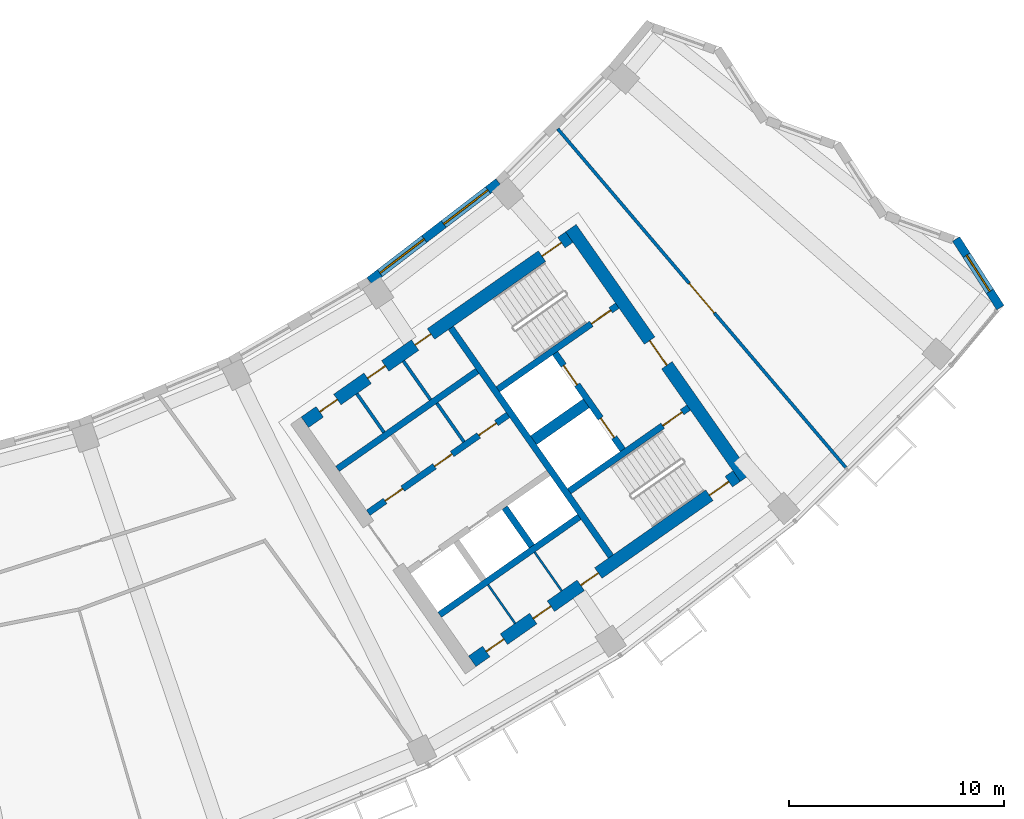
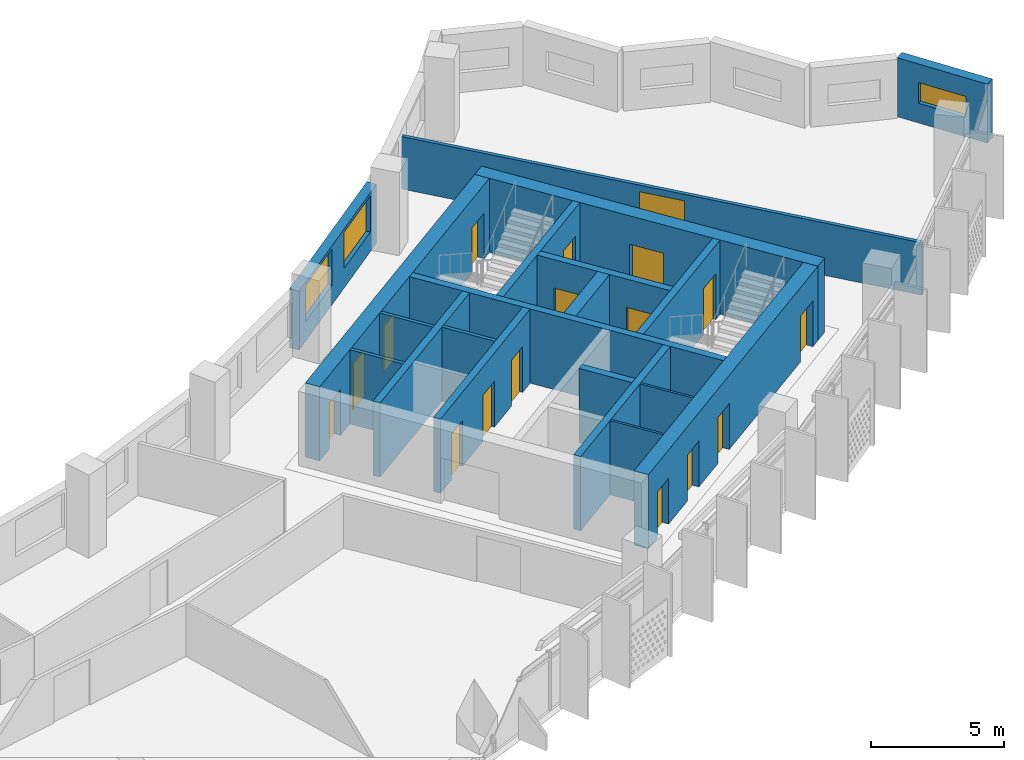
# One storey, part 7 of 28: 20 walls, 17 doors, 3 windows, 20 openings.
"""IFC4 building model written with IfcOpenShell, lengths in metres."""

from ifc_helpers import new_model, si_unit, direction, frame, frame_2d, origin, place, context, subcontext, project, spatial, rectangle, extrude, material, layer, layer_set, type_object, element, fill, save


model = new_model("IFC4")

# Units and contexts
model_context = context("Model", 3, precision=1e-05, world=origin(), true_north=direction((0.0, 1.0)))
body_context = subcontext(model_context, "Body", "Model", "MODEL_VIEW")
ifc_project = project(units=[si_unit("LENGTHUNIT", "METRE"), si_unit("AREAUNIT", "SQUARE_METRE"), si_unit("VOLUMEUNIT", "CUBIC_METRE"), si_unit("PLANEANGLEUNIT", "RADIAN"), si_unit("MASSUNIT", "GRAM", prefix="KILO")], contexts=[model_context])

# Site, building, storey
site_placement = place(None, origin())
site = spatial("IfcSite", under=ifc_project, at=site_placement, CompositionType="ELEMENT")
building_placement = place(site_placement, origin())
building = spatial("IfcBuilding", under=site, at=building_placement, Name="Qamariyya Broadcast Tower", CompositionType="ELEMENT")
storey_placement = place(building_placement, frame((0.0, 0.0, 249.300048828125)))
storey = spatial("IfcBuildingStorey", under=building, at=storey_placement, Name="L60", CompositionType="ELEMENT", Elevation=249.300048828125)

# Wall, opening, door
ifc_material_1 = material(Name="Concrete C60/75", Category="concrete")
ifc_layer_1 = layer(ifc_material_1, 0.60009765625)
ifc_layer_set_1 = layer_set([ifc_layer_1], Name="Core wall 600 mm Concrete C60/75")
wall_type_1 = type_object("IfcWallType", Name="Core wall 600 mm Concrete C60/75", PredefinedType="SHEAR", material=ifc_layer_set_1)
wall_1_placement = place(storey_placement, frame((49.4833984375, -57.031494140625, 0.0), z_axis=(0.0, 0.0, 1.0), x_axis=(-0.573560421458, 0.819163257805, 0.0)))
wall_1 = element("IfcWall", 1, at=wall_1_placement, inside=storey, type_object=wall_type_1, Name="k-E-L60-WH", PredefinedType="SHEAR", context=body_context, shape_type="SweptSolid", body=[
    extrude(rectangle(XDim=14.199951171875, YDim=0.60009765625, at=frame_2d((7.10009765625, 0.0))), origin(), (0.0, 0.0, 1.0), 3.39990234375),
])
opening_1_placement = place(wall_1_placement, frame((6.39990234375, 0.0, 0.0)))
opening_1 = element("IfcOpeningElement", 2, at=opening_1_placement, cuts=wall_1, Name="Opening KD2-E1", PredefinedType="OPENING", context=body_context, shape_type="SweptSolid", body=[
    extrude(rectangle(XDim=1.39990234375, YDim=2.10009765625, at=frame_2d((0.699951171875, 1.050048828125))), frame((0.0, 0.31005859375, 0.0), z_axis=(0.0, -1.0, 0.0), x_axis=(1.0, 0.0, 0.0)), (0.0, 0.0, 1.0), 0.6201171875),
])
ifc_material_2 = material(Name="Steel fire-resisting door leaf", Category="steel")
door_type_1 = type_object("IfcDoorType", Name="Fire-fighting lobby door KD2", OperationType="DOUBLE_DOOR_SINGLE_SWING", PredefinedType="DOOR", material=ifc_material_2)
door_1_placement = place(opening_1_placement, origin())
door_1 = element("IfcDoor", 3, at=door_1_placement, inside=storey, type_object=door_type_1, Name="k-E-L60-WH-D15", OperationType="DOUBLE_DOOR_SINGLE_SWING", OverallHeight=2.10009765625, OverallWidth=1.39990234375, PredefinedType="DOOR", context=body_context, shape_type="SweptSolid", body=[
    extrude(rectangle(XDim=1.39990234375, YDim=2.10009765625, at=frame_2d((0.699951171875, 1.050048828125))), frame((0.0, 0.02490234375, 0.0), z_axis=(0.0, -1.0, 0.0), x_axis=(1.0, 0.0, 0.0)), (0.0, 0.0, 1.0), 0.050048828125),
])
fill(opening_1, door_1)

# Wall, openings, doors
wall_2_placement = place(storey_placement, frame((28.940673828125, -54.447021484375, 0.0), z_axis=(0.0, 0.0, 1.0), x_axis=(0.819153391756, 0.573574511963, 0.0)))
wall_2 = element("IfcWall", 4, at=wall_2_placement, inside=storey, type_object=wall_type_1, Name="k-E-L60-WI", PredefinedType="SHEAR", context=body_context, shape_type="SweptSolid", body=[
    extrude(rectangle(XDim=15.04541015625, YDim=0.60009765625, at=frame_2d((7.522705078125, 0.0))), origin(), (0.0, 0.0, 1.0), 3.39990234375),
])
opening_2_placement = place(wall_2_placement, frame((0.85009765625, 0.0, 0.0)))
opening_2 = element("IfcOpeningElement", 5, at=opening_2_placement, cuts=wall_2, Name="Opening KD6-E3", PredefinedType="OPENING", context=body_context, shape_type="SweptSolid", body=[
    extrude(rectangle(XDim=1.0, YDim=2.10009765625, at=frame_2d((0.5, 1.050048828125))), frame((0.0, 0.31005859375, 0.0), z_axis=(0.0, -1.0, 0.0), x_axis=(1.0, 0.0, 0.0)), (0.0, 0.0, 1.0), 0.6201171875),
])
opening_3_placement = place(wall_2_placement, frame((3.574951171875, 0.0, 0.0)))
opening_3 = element("IfcOpeningElement", 6, at=opening_3_placement, cuts=wall_2, Name="Opening KD7-E1", PredefinedType="OPENING", context=body_context, shape_type="SweptSolid", body=[
    extrude(rectangle(XDim=1.0, YDim=2.10009765625, at=frame_2d((0.5, 1.050048828125))), frame((0.0, 0.31005859375, 0.0), z_axis=(0.0, -1.0, 0.0), x_axis=(1.0, 0.0, 0.0)), (0.0, 0.0, 1.0), 0.6201171875),
])
opening_4_placement = place(wall_2_placement, frame((6.27490234375, 0.0, 0.0)))
opening_4 = element("IfcOpeningElement", 7, at=opening_4_placement, cuts=wall_2, Name="Opening KD5-E1", PredefinedType="OPENING", context=body_context, shape_type="SweptSolid", body=[
    extrude(rectangle(XDim=0.89990234375, YDim=2.10009765625, at=frame_2d((0.449951171875, 1.050048828125))), frame((0.0, 0.31005859375, 0.0), z_axis=(0.0, -1.0, 0.0), x_axis=(1.0, 0.0, 0.0)), (0.0, 0.0, 1.0), 0.6201171875),
])
opening_5_placement = place(wall_2_placement, frame((13.495361328125, 0.0, 0.0)))
opening_5 = element("IfcOpeningElement", 8, at=opening_5_placement, cuts=wall_2, Name="Opening KD1-E1", PredefinedType="OPENING", context=body_context, shape_type="SweptSolid", body=[
    extrude(rectangle(XDim=1.10009765625, YDim=2.10009765625, at=frame_2d((0.550048828125, 1.050048828125))), frame((0.0, 0.31005859375, 0.0), z_axis=(0.0, -1.0, 0.0), x_axis=(1.0, 0.0, 0.0)), (0.0, 0.0, 1.0), 0.6201171875),
])
door_type_2 = type_object("IfcDoorType", Name="Accessible toilet door KD7", OperationType="SINGLE_SWING_LEFT", PredefinedType="DOOR", material=ifc_material_2)
door_2_placement = place(opening_3_placement, origin())
door_2 = element("IfcDoor", 9, at=door_2_placement, inside=storey, type_object=door_type_2, Name="k-E-L60-WI-D8", OperationType="SINGLE_SWING_RIGHT", OverallHeight=2.10009765625, OverallWidth=1.0, PredefinedType="DOOR", context=body_context, shape_type="SweptSolid", body=[
    extrude(rectangle(XDim=1.0, YDim=2.10009765625, at=frame_2d((0.5, 1.050048828125))), frame((0.0, 0.02490234375, 0.0), z_axis=(0.0, -1.0, 0.0), x_axis=(1.0, 0.0, 0.0)), (0.0, 0.0, 1.0), 0.050048828125),
])
fill(opening_3, door_2)
door_type_3 = type_object("IfcDoorType", Name="Core room door KD6", OperationType="SINGLE_SWING_LEFT", PredefinedType="DOOR", material=ifc_material_2)
door_3_placement = place(opening_2_placement, origin())
door_3 = element("IfcDoor", 10, at=door_3_placement, inside=storey, type_object=door_type_3, Name="k-E-L60-WI-D7", OperationType="SINGLE_SWING_LEFT", OverallHeight=2.10009765625, OverallWidth=1.0, PredefinedType="DOOR", context=body_context, shape_type="SweptSolid", body=[
    extrude(rectangle(XDim=1.0, YDim=2.10009765625, at=frame_2d((0.5, 1.050048828125))), frame((0.0, 0.02490234375, 0.0), z_axis=(0.0, -1.0, 0.0), x_axis=(1.0, 0.0, 0.0)), (0.0, 0.0, 1.0), 0.050048828125),
])
fill(opening_2, door_3)
door_type_4 = type_object("IfcDoorType", Name="Stair door KD1", OperationType="SINGLE_SWING_LEFT", PredefinedType="DOOR", material=ifc_material_2)
door_4_placement = place(opening_5_placement, origin())
door_4 = element("IfcDoor", 11, at=door_4_placement, inside=storey, type_object=door_type_4, Name="k-E-L60-WI-D16", OperationType="SINGLE_SWING_RIGHT", OverallHeight=2.10009765625, OverallWidth=1.10009765625, PredefinedType="DOOR", context=body_context, shape_type="SweptSolid", body=[
    extrude(rectangle(XDim=1.10009765625, YDim=2.10009765625, at=frame_2d((0.550048828125, 1.050048828125))), frame((0.0, 0.02490234375, 0.0), z_axis=(0.0, -1.0, 0.0), x_axis=(1.0, 0.0, 0.0)), (0.0, 0.0, 1.0), 0.050048828125),
])
fill(opening_5, door_4)
door_type_5 = type_object("IfcDoorType", Name="Toilet door KD5", OperationType="SINGLE_SWING_LEFT", PredefinedType="DOOR", material=ifc_material_2)
door_5_placement = place(opening_4_placement, origin())
door_5 = element("IfcDoor", 12, at=door_5_placement, inside=storey, type_object=door_type_5, Name="k-E-L60-WI-D9", OperationType="SINGLE_SWING_LEFT", OverallHeight=2.10009765625, OverallWidth=0.89990234375, PredefinedType="DOOR", context=body_context, shape_type="SweptSolid", body=[
    extrude(rectangle(XDim=0.89990234375, YDim=2.10009765625, at=frame_2d((0.449951171875, 1.050048828125))), frame((0.0, 0.02490234375, 0.0), z_axis=(0.0, -1.0, 0.0), x_axis=(1.0, 0.0, 0.0)), (0.0, 0.0, 1.0), 0.050048828125),
])
fill(opening_4, door_5)

wall_3_placement = place(storey_placement, frame((36.7412109375, -65.58740234375, 0.0), z_axis=(0.0, 0.0, 1.0), x_axis=(0.819153391756, 0.573574511963, 0.0)))
wall_3 = element("IfcWall", 13, at=wall_3_placement, inside=storey, type_object=wall_type_1, Name="k-E-L60-WO", PredefinedType="SHEAR", context=body_context, shape_type="SweptSolid", body=[
    extrude(rectangle(XDim=15.04541015625, YDim=0.60009765625, at=frame_2d((7.522705078125, 0.0))), origin(), (0.0, 0.0, 1.0), 3.39990234375),
])
opening_6_placement = place(wall_3_placement, frame((0.800048828125, 0.0, 0.0)))
opening_6 = element("IfcOpeningElement", 14, at=opening_6_placement, cuts=wall_3, Name="Opening KD4-E2", PredefinedType="OPENING", context=body_context, shape_type="SweptSolid", body=[
    extrude(rectangle(XDim=1.0, YDim=2.10009765625, at=frame_2d((0.5, 1.050048828125))), frame((0.0, 0.31005859375, 0.0), z_axis=(0.0, -1.0, 0.0), x_axis=(1.0, 0.0, 0.0)), (0.0, 0.0, 1.0), 0.6201171875),
])
opening_7_placement = place(wall_3_placement, frame((3.47509765625, 0.0, 0.0)))
opening_7 = element("IfcOpeningElement", 15, at=opening_7_placement, cuts=wall_3, Name="Opening KD4-E3", PredefinedType="OPENING", context=body_context, shape_type="SweptSolid", body=[
    extrude(rectangle(XDim=1.0, YDim=2.10009765625, at=frame_2d((0.5, 1.050048828125))), frame((0.0, 0.31005859375, 0.0), z_axis=(0.0, -1.0, 0.0), x_axis=(1.0, 0.0, 0.0)), (0.0, 0.0, 1.0), 0.6201171875),
])
opening_8_placement = place(wall_3_placement, frame((6.175048828125, 0.0, 0.0)))
opening_8 = element("IfcOpeningElement", 16, at=opening_8_placement, cuts=wall_3, Name="Opening KD4-E4", PredefinedType="OPENING", context=body_context, shape_type="SweptSolid", body=[
    extrude(rectangle(XDim=1.0, YDim=2.10009765625, at=frame_2d((0.5, 1.050048828125))), frame((0.0, 0.31005859375, 0.0), z_axis=(0.0, -1.0, 0.0), x_axis=(1.0, 0.0, 0.0)), (0.0, 0.0, 1.0), 0.6201171875),
])
opening_9_placement = place(wall_3_placement, frame((13.495361328125, 0.0, 0.0)))
opening_9 = element("IfcOpeningElement", 17, at=opening_9_placement, cuts=wall_3, Name="Opening KD1-E3", PredefinedType="OPENING", context=body_context, shape_type="SweptSolid", body=[
    extrude(rectangle(XDim=1.10009765625, YDim=2.10009765625, at=frame_2d((0.550048828125, 1.050048828125))), frame((0.0, 0.31005859375, 0.0), z_axis=(0.0, -1.0, 0.0), x_axis=(1.0, 0.0, 0.0)), (0.0, 0.0, 1.0), 0.6201171875),
])
door_type_6 = type_object("IfcDoorType", Name="Riser and plant door KD4", OperationType="SINGLE_SWING_LEFT", PredefinedType="DOOR", material=ifc_material_2)
door_6_placement = place(opening_6_placement, origin())
door_6 = element("IfcDoor", 18, at=door_6_placement, inside=storey, type_object=door_type_6, Name="k-E-L60-WO-D10", OperationType="SINGLE_SWING_RIGHT", OverallHeight=2.10009765625, OverallWidth=1.0, PredefinedType="DOOR", context=body_context, shape_type="SweptSolid", body=[
    extrude(rectangle(XDim=1.0, YDim=2.10009765625, at=frame_2d((0.5, 1.050048828125))), frame((0.0, 0.02490234375, 0.0), z_axis=(0.0, -1.0, 0.0), x_axis=(1.0, 0.0, 0.0)), (0.0, 0.0, 1.0), 0.050048828125),
])
fill(opening_6, door_6)
door_7_placement = place(opening_7_placement, origin())
door_7 = element("IfcDoor", 19, at=door_7_placement, inside=storey, type_object=door_type_6, Name="k-E-L60-WO-D11", OperationType="SINGLE_SWING_LEFT", OverallHeight=2.10009765625, OverallWidth=1.0, PredefinedType="DOOR", context=body_context, shape_type="SweptSolid", body=[
    extrude(rectangle(XDim=1.0, YDim=2.10009765625, at=frame_2d((0.5, 1.050048828125))), frame((0.0, 0.02490234375, 0.0), z_axis=(0.0, -1.0, 0.0), x_axis=(1.0, 0.0, 0.0)), (0.0, 0.0, 1.0), 0.050048828125),
])
fill(opening_7, door_7)
door_8_placement = place(opening_8_placement, origin())
door_8 = element("IfcDoor", 20, at=door_8_placement, inside=storey, type_object=door_type_6, Name="k-E-L60-WO-D12", OperationType="SINGLE_SWING_RIGHT", OverallHeight=2.10009765625, OverallWidth=1.0, PredefinedType="DOOR", context=body_context, shape_type="SweptSolid", body=[
    extrude(rectangle(XDim=1.0, YDim=2.10009765625, at=frame_2d((0.5, 1.050048828125))), frame((0.0, 0.02490234375, 0.0), z_axis=(0.0, -1.0, 0.0), x_axis=(1.0, 0.0, 0.0)), (0.0, 0.0, 1.0), 0.050048828125),
])
fill(opening_8, door_8)
door_9_placement = place(opening_9_placement, origin())
door_9 = element("IfcDoor", 21, at=door_9_placement, inside=storey, type_object=door_type_4, Name="k-E-L60-WO-D18", OperationType="SINGLE_SWING_LEFT", OverallHeight=2.10009765625, OverallWidth=1.10009765625, PredefinedType="DOOR", context=body_context, shape_type="SweptSolid", body=[
    extrude(rectangle(XDim=1.10009765625, YDim=2.10009765625, at=frame_2d((0.550048828125, 1.050048828125))), frame((0.0, 0.02490234375, 0.0), z_axis=(0.0, -1.0, 0.0), x_axis=(1.0, 0.0, 0.0)), (0.0, 0.0, 1.0), 0.050048828125),
])
fill(opening_9, door_9)

# Wall, opening, door
ifc_material_3 = material(Name="Gypsum board partition")
ifc_layer_2 = layer(ifc_material_3, 0.14990234375)
ifc_layer_set_2 = layer_set([ifc_layer_2], Name="Corridor partition 150 EI 60")
wall_type_2 = type_object("IfcWallType", Name="Corridor partition 150 EI 60", PredefinedType="PARTITIONING", material=ifc_layer_set_2)
wall_4_placement = place(storey_placement, frame((40.724853515625, -40.7705078125, 0.0), z_axis=(0.0, 0.0, 1.0), x_axis=(0.647962636986, -0.761672121762, 0.0)))
wall_4 = element("IfcWall", 22, at=wall_4_placement, inside=storey, type_object=wall_type_2, Name="Partition L60-028", PredefinedType="PARTITIONING", context=body_context, shape_type="SweptSolid", body=[
    extrude(rectangle(XDim=20.723388671875, YDim=0.14990234375, at=frame_2d((10.36181640625, 0.0))), origin(), (0.0, 0.0, 1.0), 2.39990234375),
])
opening_10_placement = place(wall_4_placement, frame((9.461669921875, 0.0, 0.0)))
opening_10 = element("IfcOpeningElement", 23, at=opening_10_placement, cuts=wall_4, Name="Opening L60-D14", PredefinedType="OPENING", context=body_context, shape_type="SweptSolid", body=[
    extrude(rectangle(XDim=1.800048828125, YDim=2.10009765625, at=frame_2d((0.89990234375, 1.050048828125))), frame((0.0, 0.0849609375, 0.0), z_axis=(0.0, -1.0, 0.0), x_axis=(1.0, 0.0, 0.0)), (0.0, 0.0, 1.0), 0.169921875),
])
ifc_material_4 = material(Name="Timber fire door leaf", Category="wood")
door_type_7 = type_object("IfcDoorType", Name="Double fire door 1800 x 2100 FD60", OperationType="NOTDEFINED", PredefinedType="DOOR", material=ifc_material_4)
door_10_placement = place(opening_10_placement, origin())
door_10 = element("IfcDoor", 24, at=door_10_placement, inside=storey, type_object=door_type_7, Name="Door L60-D14", OperationType="DOUBLE_DOOR_SINGLE_SWING", OverallHeight=2.10009765625, OverallWidth=1.800048828125, PredefinedType="DOOR", context=body_context, shape_type="SweptSolid", body=[
    extrude(rectangle(XDim=1.800048828125, YDim=2.10009765625, at=frame_2d((0.89990234375, 1.050048828125))), frame((0.0, 0.02490234375, 0.0), z_axis=(0.0, -1.0, 0.0), x_axis=(1.0, 0.0, 0.0)), (0.0, 0.0, 1.0), 0.050048828125),
])
fill(opening_10, door_10)

# Walls
ifc_layer_3 = layer(ifc_material_1, 0.5)
ifc_layer_set_3 = layer_set([ifc_layer_3], Name="Fire-fighting lobby divider wall 500 mm Concrete C60/75")
wall_type_3 = type_object("IfcWallType", Name="Fire-fighting lobby divider wall 500 mm Concrete C60/75", PredefinedType="SOLIDWALL", material=ifc_layer_set_3)
wall_5_placement = place(storey_placement, frame((39.59912109375, -55.28515625, 0.0), z_axis=(0.0, 0.0, 1.0), x_axis=(0.819136323161, 0.573598887793, 0.0)))
element("IfcWall", 25, at=wall_5_placement, inside=storey, type_object=wall_type_3, Name="k-E-L60-FD", PredefinedType="SOLIDWALL", context=body_context, shape_type="SweptSolid", body=[
    extrude(rectangle(XDim=2.999755859375, YDim=0.5, at=frame_2d((1.5, 0.0))), origin(), (0.0, 0.0, 1.0), 3.39990234375),
])
ifc_material_5 = material(Name="Gypsum board partition on steel studs", Category="steel")
ifc_layer_4 = layer(ifc_material_5, 0.14990234375)
ifc_layer_set_4 = layer_set([ifc_layer_4], Name="Gypsum board partition 150 mm")
wall_type_4 = type_object("IfcWallType", Name="Gypsum board partition 150 mm", PredefinedType="PARTITIONING", material=ifc_layer_set_4)
wall_6_placement = place(storey_placement, frame((36.35498046875, -55.359375, 0.0), z_axis=(0.0, 0.0, 1.0), x_axis=(-0.573581496053, 0.819148501424, 0.0)))
element("IfcWall", 26, at=wall_6_placement, inside=storey, type_object=wall_type_4, Name="k-E-L60-NC555", PredefinedType="PARTITIONING", context=body_context, shape_type="SweptSolid", body=[
    extrude(rectangle(XDim=2.2001953125, YDim=0.14990234375, at=frame_2d((1.10009765625, 0.0))), origin(), (0.0, 0.0, 1.0), 3.39990234375),
])
for number, where, z_axis, x_axis, name in (
    (27, (32.627197265625, -54.91748046875, 0.0), (0.0, 0.0, 1.0), (-0.573507030513, 0.819200638399, 0.0), "k-E-L60-NP275"),
    (28, (34.798095703125, -53.3974609375, 0.0), (0.0, 0.0, 1.0), (-0.573633636671, 0.819111989218, 0.0), "k-E-L60-NP540"),
):
    element("IfcWall", number, at=place(storey_placement, frame(where, z_axis=z_axis, x_axis=x_axis)), inside=storey, type_object=wall_type_4, Name=name, PredefinedType="PARTITIONING", context=body_context, shape_type="SweptSolid", body=[
        extrude(rectangle(XDim=2.199951171875, YDim=0.14990234375, at=frame_2d((1.10009765625, 0.0))), origin(), (0.0, 0.0, 1.0), 3.39990234375),
    ])
ifc_layer_5 = layer(ifc_material_1, 0.300048828125)
ifc_layer_set_5 = layer_set([ifc_layer_5], Name="Lift shaft wall 300 mm Concrete C60/75")
wall_type_5 = type_object("IfcWallType", Name="Lift shaft wall 300 mm Concrete C60/75", PredefinedType="SOLIDWALL", material=ifc_layer_set_5)
wall_7_placement = place(storey_placement, frame((43.204345703125, -60.69580078125, 0.0), z_axis=(0.0, 0.0, 1.0), x_axis=(-0.573571992966, 0.819155155563, 0.0)))
element("IfcWall", 29, at=wall_7_placement, inside=storey, type_object=wall_type_5, Name="k-E-L60-WL", PredefinedType="SOLIDWALL", context=body_context, shape_type="SweptSolid", body=[
    extrude(rectangle(XDim=13.000244140625, YDim=0.300048828125, at=frame_2d((6.5, 0.0))), origin(), (0.0, 0.0, 1.0), 3.39990234375),
])

# Wall, openings, doors
wall_8_placement = place(storey_placement, frame((31.89453125, -58.66552734375, 0.0), z_axis=(0.0, 0.0, 1.0), x_axis=(0.819166993208, 0.573555086491, 0.0)))
wall_8 = element("IfcWall", 30, at=wall_8_placement, inside=storey, type_object=wall_type_5, Name="k-E-L60-NF0", PredefinedType="SOLIDWALL", context=body_context, shape_type="SweptSolid", body=[
    extrude(rectangle(XDim=7.9501953125, YDim=0.300048828125, at=frame_2d((3.97509765625, 0.0))), origin(), (0.0, 0.0, 1.0), 3.39990234375),
])
opening_11_placement = place(wall_8_placement, frame((0.96240234375, 0.0, 0.0)))
opening_11 = element("IfcOpeningElement", 31, at=opening_11_placement, cuts=wall_8, Name="Opening KD4-E1", PredefinedType="OPENING", context=body_context, shape_type="SweptSolid", body=[
    extrude(rectangle(XDim=1.0, YDim=2.10009765625, at=frame_2d((0.5, 1.050048828125))), frame((0.0, 0.159912109375, 0.0), z_axis=(0.0, -1.0, 0.0), x_axis=(1.0, 0.0, 0.0)), (0.0, 0.0, 1.0), 0.320068359375),
])
opening_12_placement = place(wall_8_placement, frame((3.77490234375, 0.0, 0.0)))
opening_12 = element("IfcOpeningElement", 32, at=opening_12_placement, cuts=wall_8, Name="Opening KD6-E1", PredefinedType="OPENING", context=body_context, shape_type="SweptSolid", body=[
    extrude(rectangle(XDim=1.0, YDim=2.10009765625, at=frame_2d((0.5, 1.050048828125))), frame((0.0, 0.159912109375, 0.0), z_axis=(0.0, -1.0, 0.0), x_axis=(1.0, 0.0, 0.0)), (0.0, 0.0, 1.0), 0.320068359375),
])
opening_13_placement = place(wall_8_placement, frame((6.28759765625, 0.0, 0.0)))
opening_13 = element("IfcOpeningElement", 33, at=opening_13_placement, cuts=wall_8, Name="Opening KD6-E2", PredefinedType="OPENING", context=body_context, shape_type="SweptSolid", body=[
    extrude(rectangle(XDim=1.0, YDim=2.10009765625, at=frame_2d((0.5, 1.050048828125))), frame((0.0, 0.159912109375, 0.0), z_axis=(0.0, -1.0, 0.0), x_axis=(1.0, 0.0, 0.0)), (0.0, 0.0, 1.0), 0.320068359375),
])
door_11_placement = place(opening_12_placement, origin())
door_11 = element("IfcDoor", 34, at=door_11_placement, inside=storey, type_object=door_type_3, Name="k-E-L60-NF0-D3", OperationType="SINGLE_SWING_LEFT", OverallHeight=2.10009765625, OverallWidth=1.0, PredefinedType="DOOR", context=body_context, shape_type="SweptSolid", body=[
    extrude(rectangle(XDim=1.0, YDim=2.10009765625, at=frame_2d((0.5, 1.050048828125))), frame((0.0, 0.02490234375, 0.0), z_axis=(0.0, -1.0, 0.0), x_axis=(1.0, 0.0, 0.0)), (0.0, 0.0, 1.0), 0.050048828125),
])
fill(opening_12, door_11)
door_12_placement = place(opening_13_placement, origin())
door_12 = element("IfcDoor", 35, at=door_12_placement, inside=storey, type_object=door_type_3, Name="k-E-L60-NF0-D4", OperationType="SINGLE_SWING_RIGHT", OverallHeight=2.10009765625, OverallWidth=1.0, PredefinedType="DOOR", context=body_context, shape_type="SweptSolid", body=[
    extrude(rectangle(XDim=1.0, YDim=2.10009765625, at=frame_2d((0.5, 1.050048828125))), frame((0.0, 0.02490234375, 0.0), z_axis=(0.0, -1.0, 0.0), x_axis=(1.0, 0.0, 0.0)), (0.0, 0.0, 1.0), 0.050048828125),
])
fill(opening_13, door_12)
door_13_placement = place(opening_11_placement, origin())
door_13 = element("IfcDoor", 36, at=door_13_placement, inside=storey, type_object=door_type_6, Name="k-E-L60-NF0-D2", OperationType="SINGLE_SWING_RIGHT", OverallHeight=2.10009765625, OverallWidth=1.0, PredefinedType="DOOR", context=body_context, shape_type="SweptSolid", body=[
    extrude(rectangle(XDim=1.0, YDim=2.10009765625, at=frame_2d((0.5, 1.050048828125))), frame((0.0, 0.02490234375, 0.0), z_axis=(0.0, -1.0, 0.0), x_axis=(1.0, 0.0, 0.0)), (0.0, 0.0, 1.0), 0.050048828125),
])
fill(opening_11, door_13)

# Walls
wall_9_placement = place(storey_placement, frame((30.460693359375, -56.61767578125, 0.0), z_axis=(0.0, 0.0, 1.0), x_axis=(0.819142461705, 0.573590121456, 0.0)))
element("IfcWall", 37, at=wall_9_placement, inside=storey, type_object=wall_type_5, Name="k-E-L60-NB0", PredefinedType="SOLIDWALL", context=body_context, shape_type="SweptSolid", body=[
    extrude(rectangle(XDim=7.949951171875, YDim=0.300048828125, at=frame_2d((3.97509765625, 0.0))), origin(), (0.0, 0.0, 1.0), 3.39990234375),
])
wall_10_placement = place(storey_placement, frame((35.22119140625, -63.41650390625, 0.0), z_axis=(0.0, 0.0, 1.0), x_axis=(0.819166993208, 0.573555086491, 0.0)))
element("IfcWall", 38, at=wall_10_placement, inside=storey, type_object=wall_type_5, Name="k-E-L60-SB0", PredefinedType="SOLIDWALL", context=body_context, shape_type="SweptSolid", body=[
    extrude(rectangle(XDim=7.9501953125, YDim=0.300048828125, at=frame_2d((3.97509765625, 0.0))), origin(), (0.0, 0.0, 1.0), 3.39990234375),
])
wall_11_placement = place(storey_placement, frame((38.255859375, -58.423095703125, 0.0), z_axis=(0.0, 0.0, 1.0), x_axis=(0.573633636671, -0.819111989218, 0.0)))
element("IfcWall", 39, at=wall_11_placement, inside=storey, type_object=wall_type_5, Name="k-E-L60-SD1", PredefinedType="SOLIDWALL", context=body_context, shape_type="SweptSolid", body=[
    extrude(rectangle(XDim=2.199951171875, YDim=0.300048828125, at=frame_2d((1.10009765625, 0.0))), origin(), (0.0, 0.0, 1.0), 3.39990234375),
])

# Wall, opening, door
wall_12_placement = place(storey_placement, frame((37.935546875, -52.90966796875, 0.0), z_axis=(0.0, 0.0, 1.0), x_axis=(0.819147518138, 0.57358290031, 0.0)))
wall_12 = element("IfcWall", 40, at=wall_12_placement, inside=storey, type_object=wall_type_5, Name="k-E-L60-NW", PredefinedType="SOLIDWALL", context=body_context, shape_type="SweptSolid", body=[
    extrude(rectangle(XDim=6.79541015625, YDim=0.300048828125, at=frame_2d((3.397705078125, 0.0))), origin(), (0.0, 0.0, 1.0), 3.39990234375),
])
opening_14_placement = place(wall_12_placement, frame((5.3203125, 0.0, 0.0)))
opening_14 = element("IfcOpeningElement", 41, at=opening_14_placement, cuts=wall_12, Name="Opening KD1-E2", PredefinedType="OPENING", context=body_context, shape_type="SweptSolid", body=[
    extrude(rectangle(XDim=1.10009765625, YDim=2.10009765625, at=frame_2d((0.550048828125, 1.050048828125))), frame((0.0, 0.159912109375, 0.0), z_axis=(0.0, -1.0, 0.0), x_axis=(1.0, 0.0, 0.0)), (0.0, 0.0, 1.0), 0.320068359375),
])
door_14_placement = place(opening_14_placement, origin())
door_14 = element("IfcDoor", 42, at=door_14_placement, inside=storey, type_object=door_type_4, Name="k-E-L60-NW-D17", OperationType="SINGLE_SWING_LEFT", OverallHeight=2.10009765625, OverallWidth=1.10009765625, PredefinedType="DOOR", context=body_context, shape_type="SweptSolid", body=[
    extrude(rectangle(XDim=1.10009765625, YDim=2.10009765625, at=frame_2d((0.550048828125, 1.050048828125))), frame((0.0, 0.02490234375, 0.0), z_axis=(0.0, -1.0, 0.0), x_axis=(1.0, 0.0, 0.0)), (0.0, 0.0, 1.0), 0.050048828125),
])
fill(opening_14, door_14)

wall_13_placement = place(storey_placement, frame((41.262451171875, -57.66064453125, 0.0), z_axis=(0.0, 0.0, 1.0), x_axis=(0.819164398642, 0.573558792102, 0.0)))
wall_13 = element("IfcWall", 43, at=wall_13_placement, inside=storey, type_object=wall_type_5, Name="k-E-L60-SW", PredefinedType="SOLIDWALL", context=body_context, shape_type="SweptSolid", body=[
    extrude(rectangle(XDim=6.795166015625, YDim=0.300048828125, at=frame_2d((3.3974609375, 0.0))), origin(), (0.0, 0.0, 1.0), 3.39990234375),
])
opening_15_placement = place(wall_13_placement, frame((5.3203125, 0.0, 0.0)))
opening_15 = element("IfcOpeningElement", 44, at=opening_15_placement, cuts=wall_13, Name="Opening KD1-E4", PredefinedType="OPENING", context=body_context, shape_type="SweptSolid", body=[
    extrude(rectangle(XDim=1.10009765625, YDim=2.10009765625, at=frame_2d((0.550048828125, 1.050048828125))), frame((0.0, 0.159912109375, 0.0), z_axis=(0.0, -1.0, 0.0), x_axis=(1.0, 0.0, 0.0)), (0.0, 0.0, 1.0), 0.320068359375),
])
door_15_placement = place(opening_15_placement, origin())
door_15 = element("IfcDoor", 45, at=door_15_placement, inside=storey, type_object=door_type_4, Name="k-E-L60-SW-D19", OperationType="SINGLE_SWING_LEFT", OverallHeight=2.10009765625, OverallWidth=1.10009765625, PredefinedType="DOOR", context=body_context, shape_type="SweptSolid", body=[
    extrude(rectangle(XDim=1.10009765625, YDim=2.10009765625, at=frame_2d((0.550048828125, 1.050048828125))), frame((0.0, 0.02490234375, 0.0), z_axis=(0.0, -1.0, 0.0), x_axis=(1.0, 0.0, 0.0)), (0.0, 0.0, 1.0), 0.050048828125),
])
fill(opening_15, door_15)

# Wall, openings, doors
wall_14_placement = place(storey_placement, frame((43.756591796875, -55.731201171875, 0.0), z_axis=(0.0, 0.0, 1.0), x_axis=(-0.573536818435, 0.819179783625, 0.0)))
wall_14 = element("IfcWall", 46, at=wall_14_placement, inside=storey, type_object=wall_type_5, Name="k-E-L60-FF", PredefinedType="SOLIDWALL", context=body_context, shape_type="SweptSolid", body=[
    extrude(rectangle(XDim=5.500244140625, YDim=0.300048828125, at=frame_2d((2.75, 0.0))), origin(), (0.0, 0.0, 1.0), 3.39990234375),
])
opening_16_placement = place(wall_14_placement, frame((0.699951171875, 0.0, 0.0)))
opening_16 = element("IfcOpeningElement", 47, at=opening_16_placement, cuts=wall_14, Name="Opening LD", PredefinedType="OPENING", context=body_context, shape_type="SweptSolid", body=[
    extrude(rectangle(XDim=1.10009765625, YDim=2.10009765625, at=frame_2d((0.550048828125, 1.050048828125))), frame((0.0, 0.159912109375, 0.0), z_axis=(0.0, -1.0, 0.0), x_axis=(1.0, 0.0, 0.0)), (0.0, 0.0, 1.0), 0.320068359375),
])
opening_17_placement = place(wall_14_placement, frame((3.699951171875, 0.0, 0.0)))
opening_17 = element("IfcOpeningElement", 48, at=opening_17_placement, cuts=wall_14, Name="Opening LD", PredefinedType="OPENING", context=body_context, shape_type="SweptSolid", body=[
    extrude(rectangle(XDim=1.10009765625, YDim=2.10009765625, at=frame_2d((0.550048828125, 1.050048828125))), frame((0.0, 0.159912109375, 0.0), z_axis=(0.0, -1.0, 0.0), x_axis=(1.0, 0.0, 0.0)), (0.0, 0.0, 1.0), 0.320068359375),
])
door_type_8 = type_object("IfcDoorType", Name="Lift landing door LD", OperationType="DOUBLE_DOOR_SLIDING", PredefinedType="DOOR", material=ifc_material_2)
door_16_placement = place(opening_16_placement, origin())
door_16 = element("IfcDoor", 49, at=door_16_placement, inside=storey, type_object=door_type_8, Name="k-E-L60-FF-D13", OperationType="DOUBLE_DOOR_SLIDING", OverallHeight=2.10009765625, OverallWidth=1.10009765625, PredefinedType="DOOR", context=body_context, shape_type="SweptSolid", body=[
    extrude(rectangle(XDim=1.10009765625, YDim=2.10009765625, at=frame_2d((0.550048828125, 1.050048828125))), frame((0.0, 0.02490234375, 0.0), z_axis=(0.0, -1.0, 0.0), x_axis=(1.0, 0.0, 0.0)), (0.0, 0.0, 1.0), 0.050048828125),
])
fill(opening_16, door_16)
door_17_placement = place(opening_17_placement, origin())
door_17 = element("IfcDoor", 50, at=door_17_placement, inside=storey, type_object=door_type_8, Name="k-E-L60-FF-D14", OperationType="DOUBLE_DOOR_SLIDING", OverallHeight=2.10009765625, OverallWidth=1.10009765625, PredefinedType="DOOR", context=body_context, shape_type="SweptSolid", body=[
    extrude(rectangle(XDim=1.10009765625, YDim=2.10009765625, at=frame_2d((0.550048828125, 1.050048828125))), frame((0.0, 0.02490234375, 0.0), z_axis=(0.0, -1.0, 0.0), x_axis=(1.0, 0.0, 0.0)), (0.0, 0.0, 1.0), 0.050048828125),
])
fill(opening_17, door_17)

# Walls
ifc_material_6 = material(Name="Fire-rated gypsum shaft liner on steel studs", Category="steel")
ifc_layer_6 = layer(ifc_material_6, 0.10009765625)
ifc_layer_set_6 = layer_set([ifc_layer_6], Name="Riser wall 100 mm")
wall_type_6 = type_object("IfcWallType", Name="Riser wall 100 mm", PredefinedType="PLUMBINGWALL", material=ifc_layer_set_6)
wall_15_placement = place(storey_placement, frame((37.47802734375, -62.01953125, 0.0), z_axis=(0.0, 0.0, 1.0), x_axis=(0.573581496053, -0.819148501424, 0.0)))
element("IfcWall", 51, at=wall_15_placement, inside=storey, type_object=wall_type_6, Name="k-E-L60-SP265", PredefinedType="PLUMBINGWALL", context=body_context, shape_type="SweptSolid", body=[
    extrude(rectangle(XDim=2.2001953125, YDim=0.10009765625, at=frame_2d((1.10009765625, 0.0))), origin(), (0.0, 0.0, 1.0), 3.39990234375),
])
wall_16_placement = place(storey_placement, frame((39.64892578125, -60.49951171875, 0.0), z_axis=(0.0, 0.0, 1.0), x_axis=(0.573507030513, -0.819200638399, 0.0)))
element("IfcWall", 52, at=wall_16_placement, inside=storey, type_object=wall_type_6, Name="k-E-L60-SP530", PredefinedType="PLUMBINGWALL", context=body_context, shape_type="SweptSolid", body=[
    extrude(rectangle(XDim=2.199951171875, YDim=0.10009765625, at=frame_2d((1.10009765625, 0.0))), origin(), (0.0, 0.0, 1.0), 3.39990234375),
])

# Wall, opening, window
ifc_material_7 = material(Name="Terracotta", Category="masonry")
ifc_layer_7 = layer(ifc_material_7, 0.39990234375)
ifc_layer_set_7 = layer_set([ifc_layer_7], Name="Terracotta clad wall 400")
wall_type_7 = type_object("IfcWallType", Name="Terracotta clad wall 400", PredefinedType="SOLIDWALL", material=ifc_layer_set_7)
wall_17_placement = place(storey_placement, frame((61.35546875, -49.10498046875, 0.0), z_axis=(0.0, 0.0, 1.0), x_axis=(-0.542227609015, 0.840231646644, 0.0)))
wall_17 = element("IfcWall", 53, at=wall_17_placement, inside=storey, type_object=wall_type_7, Name="e-wl-L60-capE0", PredefinedType="SOLIDWALL", context=body_context, shape_type="SweptSolid", body=[
    extrude(rectangle(XDim=3.80859375, YDim=0.39990234375, at=frame_2d((1.904296875, 0.0))), origin(), (0.0, 0.0, 1.0), 2.699951171875),
])
opening_18_placement = place(wall_17_placement, frame((0.904296875, 0.0, 0.89990234375)))
opening_18 = element("IfcOpeningElement", 54, at=opening_18_placement, cuts=wall_17, Name="Opening W4", PredefinedType="OPENING", context=body_context, shape_type="SweptSolid", body=[
    extrude(rectangle(XDim=2.0, YDim=0.949951171875, at=frame_2d((1.0, 0.47509765625))), frame((0.0, 0.2099609375, 0.0), z_axis=(0.0, -1.0, 0.0), x_axis=(1.0, 0.0, 0.0)), (0.0, 0.0, 1.0), 0.419921875),
])
ifc_material_8 = material(Name="Clear low-e double glazed unit in aluminium frame", Category="aluminium")
window_type_1 = type_object("IfcWindowType", Name="Horn bay window 2000 x 950", PartitioningType="SINGLE_PANEL", PredefinedType="WINDOW", material=ifc_material_8)
window_1_placement = place(opening_18_placement, origin())
window_1 = element("IfcWindow", 55, at=window_1_placement, inside=storey, type_object=window_type_1, Name="e-w-L60-capE0", OverallHeight=0.949951171875, OverallWidth=2.0, PartitioningType="SINGLE_PANEL", PredefinedType="WINDOW", context=body_context, shape_type="SweptSolid", body=[
    extrude(rectangle(XDim=2.0, YDim=0.949951171875, at=frame_2d((1.0, 0.47509765625))), frame((0.0, 0.030029296875, 0.0), z_axis=(0.0, -1.0, 0.0), x_axis=(1.0, 0.0, 0.0)), (0.0, 0.0, 1.0), 0.06005859375),
])
fill(opening_18, window_1)

# Wall, openings, windows
wall_18_placement = place(storey_placement, frame((37.965576171875, -43.25341796875, 0.0), z_axis=(0.0, 0.0, 1.0), x_axis=(-0.793356365089, -0.608757486995, 0.0)))
wall_18 = element("IfcWall", 56, at=wall_18_placement, inside=storey, type_object=wall_type_7, Name="e-wl-L60-in130", PredefinedType="SOLIDWALL", context=body_context, shape_type="SweptSolid", body=[
    extrude(rectangle(XDim=7.578125, YDim=0.39990234375, at=frame_2d((3.7890625, 0.0))), origin(), (0.0, 0.0, 1.0), 2.699951171875),
])
opening_19_placement = place(wall_18_placement, frame((4.364501953125, 0.0, 0.89990234375)))
opening_19 = element("IfcOpeningElement", 57, at=opening_19_placement, cuts=wall_18, Name="Opening W1", PredefinedType="OPENING", context=body_context, shape_type="SweptSolid", body=[
    extrude(rectangle(XDim=2.60009765625, YDim=1.64990234375, at=frame_2d((1.300048828125, 0.824951171875))), frame((0.0, 0.2099609375, 0.0), z_axis=(0.0, -1.0, 0.0), x_axis=(1.0, 0.0, 0.0)), (0.0, 0.0, 1.0), 0.419921875),
])
opening_20_placement = place(wall_18_placement, frame((0.613525390625, 0.0, 0.89990234375)))
opening_20 = element("IfcOpeningElement", 58, at=opening_20_placement, cuts=wall_18, Name="Opening W1", PredefinedType="OPENING", context=body_context, shape_type="SweptSolid", body=[
    extrude(rectangle(XDim=2.60009765625, YDim=1.64990234375, at=frame_2d((1.300048828125, 0.824951171875))), frame((0.0, 0.2099609375, 0.0), z_axis=(0.0, -1.0, 0.0), x_axis=(1.0, 0.0, 0.0)), (0.0, 0.0, 1.0), 0.419921875),
])
window_type_2 = type_object("IfcWindowType", Name="Ribbon window 2600 x 1650", PartitioningType="SINGLE_PANEL", PredefinedType="WINDOW", material=ifc_material_8)
window_2_placement = place(opening_19_placement, origin())
window_2 = element("IfcWindow", 59, at=window_2_placement, inside=storey, type_object=window_type_2, Name="e-w-L60-in13-0", OverallHeight=1.64990234375, OverallWidth=2.60009765625, PartitioningType="SINGLE_PANEL", PredefinedType="WINDOW", context=body_context, shape_type="SweptSolid", body=[
    extrude(rectangle(XDim=2.60009765625, YDim=1.64990234375, at=frame_2d((1.300048828125, 0.824951171875))), frame((0.0, 0.030029296875, 0.0), z_axis=(0.0, -1.0, 0.0), x_axis=(1.0, 0.0, 0.0)), (0.0, 0.0, 1.0), 0.06005859375),
])
fill(opening_19, window_2)
window_3_placement = place(opening_20_placement, origin())
window_3 = element("IfcWindow", 60, at=window_3_placement, inside=storey, type_object=window_type_2, Name="e-w-L60-in13-1", OverallHeight=1.64990234375, OverallWidth=2.60009765625, PartitioningType="SINGLE_PANEL", PredefinedType="WINDOW", context=body_context, shape_type="SweptSolid", body=[
    extrude(rectangle(XDim=2.60009765625, YDim=1.64990234375, at=frame_2d((1.300048828125, 0.824951171875))), frame((0.0, 0.030029296875, 0.0), z_axis=(0.0, -1.0, 0.0), x_axis=(1.0, 0.0, 0.0)), (0.0, 0.0, 1.0), 0.06005859375),
])
fill(opening_20, window_3)

save(model, "model.ifc")
